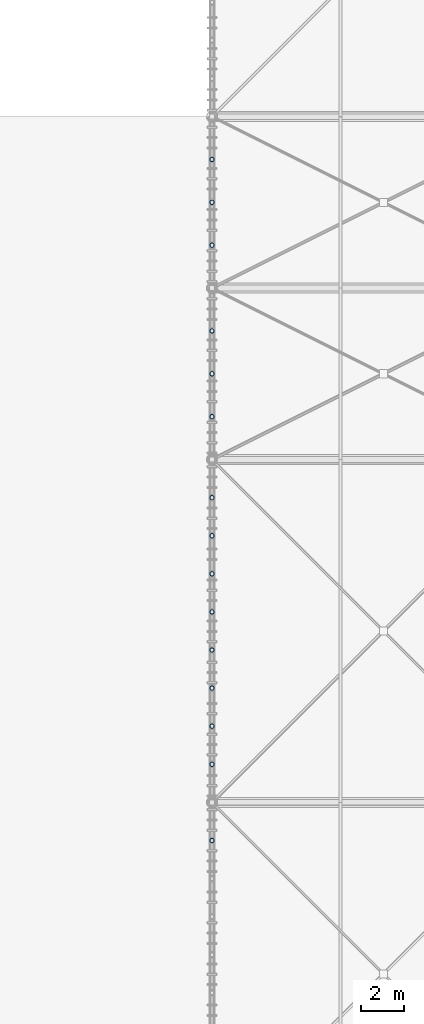
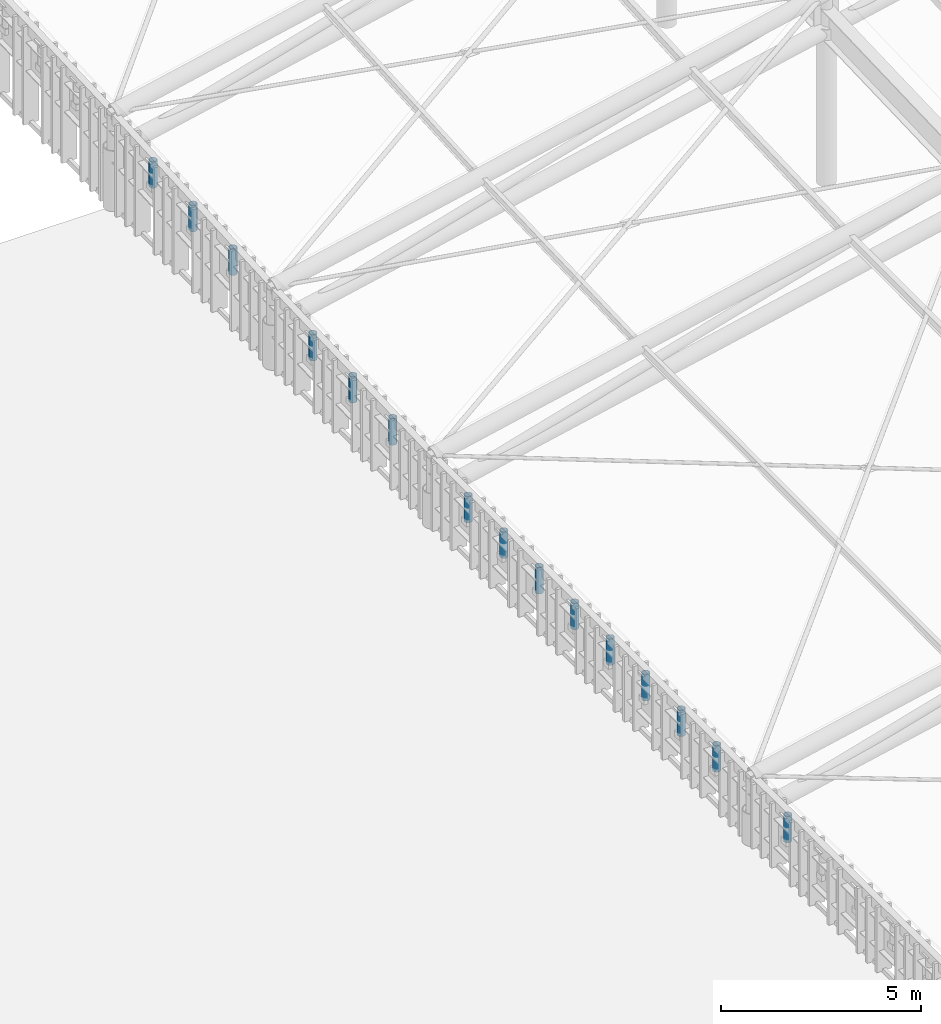
# One storey, part 15 of 25: 15 members.
"""IFC4 building model written with IfcOpenShell, lengths in metres."""

import ifcopenshell
import ifcopenshell.guid

model = None  # the IFC model being written
_history = None  # IfcOwnerHistory: only IFC2X3 demands one
_inside = {}  # id of a spatial element -> (the spatial element, [elements in it])
_under = {}  # id of a project, library or spatial element -> (it, [spatial elements below it])
_declared = {}  # id of a project -> (the project, [libraries it declares])
_typed = {}  # id of a type object -> (the type object, [elements of that type])
_made_of = {}  # id of a material, layer set ... -> (it, [elements and type objects made of it])


def new_model(schema):
    """Start an empty IFC model of exactly this schema.

    Asked for "IFC4X3", IfcOpenShell would pick the latest addendum, in which some entities
    have other attributes; the version numbers below select the first issue.
    IFC2X3 requires an IfcOwnerHistory on every rooted entity: one is made here for all.
    """
    global model, _history
    if schema == "IFC4X3":
        model = ifcopenshell.file(schema_version=(4, 3, 0, 0))
    else:
        model = ifcopenshell.file(schema=schema)
    _inside.clear()
    _under.clear()
    _declared.clear()
    _typed.clear()
    _made_of.clear()
    _history = None
    if model.schema == "IFC2X3":
        org = make("IfcOrganization", Name="unknown")
        user = make(
            "IfcPersonAndOrganization",
            ThePerson=make("IfcPerson", FamilyName="unknown"),
            TheOrganization=org,
        )
        app = make(
            "IfcApplication",
            ApplicationDeveloper=org,
            Version="unknown",
            ApplicationFullName="unknown",
            ApplicationIdentifier="unknown",
        )
        _history = make(
            "IfcOwnerHistory",
            OwningUser=user,
            OwningApplication=app,
            ChangeAction="ADDED",
            CreationDate=0,
        )
    return model


def make(cls, **values):
    """One entity of the class cls with the attributes given. An attribute that is None is left unset."""
    return model.create_entity(
        cls, **{name: value for name, value in values.items() if value is not None}
    )


def rooted(cls, **values):
    """An entity with a GlobalId (a new one), such as an element, a storey or a relation."""
    return make(cls, GlobalId=ifcopenshell.guid.new(), OwnerHistory=_history, **values)


def si_unit(unit_type, name, prefix=None):
    """IfcSIUnit, for example si_unit("LENGTHUNIT", "METRE", prefix="MILLI")."""
    return make("IfcSIUnit", UnitType=unit_type, Prefix=prefix, Name=name)


def assignment(units):
    """IfcUnitAssignment: the units of a project."""
    return None if units is None else make("IfcUnitAssignment", Units=units)


def point(xyz):
    """IfcCartesianPoint."""
    return None if xyz is None else make("IfcCartesianPoint", Coordinates=xyz)


def direction(xyz):
    """IfcDirection."""
    return None if xyz is None else make("IfcDirection", DirectionRatios=xyz)


def frame(location, z_axis=None, x_axis=None):
    """IfcAxis2Placement3D, a coordinate frame: its origin and axes. An axis left out is left unset."""
    return make(
        "IfcAxis2Placement3D",
        Location=point(location),
        Axis=direction(z_axis),
        RefDirection=direction(x_axis),
    )


def frame_2d(location, x_axis=None):
    """IfcAxis2Placement2D, a coordinate frame in the plane: its origin and x axis."""
    return make(
        "IfcAxis2Placement2D", Location=point(location), RefDirection=direction(x_axis)
    )


def origin():
    """The frame at (0, 0, 0) with its axes left unset."""
    return frame((0.0, 0.0, 0.0))


def origin_2d():
    """The frame at (0, 0) in the plane with its x axis left unset."""
    return frame_2d((0.0, 0.0))


def place(relative_to, where):
    """IfcLocalPlacement: puts the frame where relative to a parent placement (None: the world)."""
    return make(
        "IfcLocalPlacement", PlacementRelTo=relative_to, RelativePlacement=where
    )


def context(
    kind, dimensions, precision=None, world=None, true_north=None, identifier=None
):
    """IfcGeometricRepresentationContext, for example the 3D "Model" context."""
    return make(
        "IfcGeometricRepresentationContext",
        ContextIdentifier=identifier,
        ContextType=kind,
        CoordinateSpaceDimension=dimensions,
        Precision=precision,
        WorldCoordinateSystem=world,
        TrueNorth=true_north,
    )


def subcontext(parent, identifier, kind, view, scale=None):
    """IfcGeometricRepresentationSubContext, for example "Body" below "Model"."""
    return make(
        "IfcGeometricRepresentationSubContext",
        ContextIdentifier=identifier,
        ContextType=kind,
        ParentContext=parent,
        TargetScale=scale,
        TargetView=view,
    )


def project(units=None, contexts=None):
    """IfcProject with its units and contexts."""
    return rooted(
        "IfcProject",
        Name="project",
        RepresentationContexts=contexts,
        UnitsInContext=assignment(units),
    )


def spatial(cls, under=None, at=None, **own):
    """A site, building, storey or space (cls), placed at a placement, below another one or the project."""
    s = rooted(cls, ObjectPlacement=at, **own)
    if under is not None:
        _under.setdefault(under.id(), (under, []))[1].append(s)
    return s


def profile(cls, at=None, kind="AREA", **sizes):
    """A parametric profile (cls). Its sizes go by their IFC names, for example OverallWidth=200.0."""
    return make(cls, ProfileType=kind, Position=at, **sizes)


def hollow_circle(**sizes):
    """IfcCircleHollowProfileDef."""
    return profile("IfcCircleHollowProfileDef", **sizes)


def extrude(swept, where, along, depth):
    """IfcExtrudedAreaSolid: the profile swept, set in the frame where, extruded along a direction by depth."""
    return make(
        "IfcExtrudedAreaSolid",
        SweptArea=swept,
        Position=where,
        ExtrudedDirection=direction(along),
        Depth=depth,
    )


def shape(context_of_items, identifier, shape_type, items):
    """IfcShapeRepresentation: the items that make up one representation, for example the "Body"."""
    return make(
        "IfcShapeRepresentation",
        ContextOfItems=context_of_items,
        RepresentationIdentifier=identifier,
        RepresentationType=shape_type,
        Items=items,
    )


def material(Name=None, Category=None):
    """IfcMaterial."""
    return make("IfcMaterial", Name=Name, Category=Category)


def material_profile(
    of_material, cross_section, Name=None, Category=None, Priority=None
):
    """IfcMaterialProfile: a cross section and its material."""
    return make(
        "IfcMaterialProfile",
        Name=Name,
        Material=of_material,
        Profile=cross_section,
        Priority=Priority,
        Category=Category,
    )


def profile_set(profiles, Name=None, composite=None):
    """IfcMaterialProfileSet."""
    return make(
        "IfcMaterialProfileSet",
        Name=Name,
        MaterialProfiles=profiles,
        CompositeProfile=composite,
    )


def made_of(thing, what):
    """Note that an element or type object is made of a material, layer set ...; save() writes the relation."""
    if what is not None:
        _made_of.setdefault(what.id(), (what, []))[1].append(thing)
    return thing


def type_object(cls, material=None, **own):
    """A type object (cls), such as IfcWallType, which elements share."""
    return made_of(rooted(cls, **own), material)


def element(
    cls,
    number,
    at=None,
    inside=None,
    cuts=None,
    type_object=None,
    material=None,
    context=None,
    identifier="Body",
    shape_type=None,
    held_by="IfcProductDefinitionShape",
    body=None,
    shapes=None,
    **own,
):
    """One element of the class cls, such as IfcWall. Its Tag is "e" and its number.

    at: its placement. inside: the storey or other place that contains it. cuts: it is an
    opening in that element (IfcRelVoidsElement). A single representation is given by context,
    identifier, shape_type and body (its items); several are given by shapes. held_by: the class
    of the entity that holds the representations. save() writes the other relations.
    """
    e = rooted(cls, Tag="e%d" % number, ObjectPlacement=at, **own)
    if body is not None:
        shapes = [shape(context, identifier, shape_type, body)]
    if shapes is not None:
        e.Representation = make(held_by, Representations=shapes)
    if inside is not None:
        _inside.setdefault(inside.id(), (inside, []))[1].append(e)
    if cuts is not None:
        rooted(
            "IfcRelVoidsElement", RelatingBuildingElement=cuts, RelatedOpeningElement=e
        )
    if type_object is not None:
        _typed.setdefault(type_object.id(), (type_object, []))[1].append(e)
    return made_of(e, material)


def aggregate(whole, parts):
    """IfcRelAggregates: a whole, such as a stair, and the parts it consists of."""
    return rooted("IfcRelAggregates", RelatingObject=whole, RelatedObjects=parts)


def save(model, path):
    """Write the relations noted so far, then the file.

    IfcRelAggregates (storeys below a building ...), IfcRelContainedInSpatialStructure (elements
    in a storey), IfcRelDefinesByType, IfcRelAssociatesMaterial and IfcRelDeclares: one each for
    every whole, place, type object, material and project.
    """
    for whole, parts in _under.values():
        aggregate(whole, parts)
    for where, things in _inside.values():
        rooted(
            "IfcRelContainedInSpatialStructure",
            RelatedElements=things,
            RelatingStructure=where,
        )
    for kind, things in _typed.values():
        rooted("IfcRelDefinesByType", RelatedObjects=things, RelatingType=kind)
    for what, things in _made_of.values():
        rooted("IfcRelAssociatesMaterial", RelatedObjects=things, RelatingMaterial=what)
    for by, libraries in _declared.values():
        rooted("IfcRelDeclares", RelatingContext=by, RelatedDefinitions=libraries)
    model.write(path)


model = new_model("IFC4")

# Units and contexts
model_context = context("Model", 3, precision=1e-05, world=origin(), true_north=direction((0.0, 1.0)))
body_context = subcontext(model_context, "Body", "Model", "MODEL_VIEW")
ifc_project = project(units=[si_unit("LENGTHUNIT", "METRE"), si_unit("AREAUNIT", "SQUARE_METRE"), si_unit("VOLUMEUNIT", "CUBIC_METRE"), si_unit("PLANEANGLEUNIT", "RADIAN"), si_unit("MASSUNIT", "GRAM", prefix="KILO")], contexts=[model_context])

# Site, building, storey
site_placement = place(None, origin())
site = spatial("IfcSite", under=ifc_project, at=site_placement, CompositionType="ELEMENT")
building_placement = place(site_placement, origin())
building = spatial("IfcBuilding", under=site, at=building_placement, Name="Haebicheon Civic Stadium", CompositionType="ELEMENT")
storey_placement = place(building_placement, frame((0.0, 0.0, 31.199951171875)))
storey = spatial("IfcBuildingStorey", under=building, at=storey_placement, Name="RF", CompositionType="ELEMENT", Elevation=31.199951171875)

# Members
ifc_material = material(Name="White painted steel SM490", Category="steel")
ifc_material_profile = material_profile(ifc_material, hollow_circle(Radius=0.109619140625, WallThickness=0.01611328125, at=origin_2d()), Name="CHS-219.1x16.0")
ifc_profile_set = profile_set([ifc_material_profile], Name="White painted steel SM490")
member_type = type_object("IfcMemberType", Name="HRD-CHS219", PredefinedType="USERDEFINED", material=ifc_profile_set)
for number, where, z_axis, x_axis, name in (
    (1, (48.0, 86.221923828125, 1.092041015625), (0.0, 0.0, 1.0), (1.0, 0.0, 0.0), "CAN-WEST white vertical suspension rod 4.8"),
    (2, (48.0, 89.778076171875, 1.092041015625), (0.0, 0.0, 1.0), (1.0, 0.0, 0.0), "CAN-WEST white vertical suspension rod 5.1"),
    (3, (48.0, 91.555908203125, 1.10205078125), (0.0, 0.0, 1.0), (1.0, 0.0, 0.0), "CAN-WEST white vertical suspension rod 5.2"),
    (4, (48.0, 93.3330078125, 1.113037109375), (0.0, 0.0, 1.0), (1.0, 0.0, 0.0), "CAN-WEST white vertical suspension rod 5.3"),
    (5, (48.0, 95.111083984375, 1.1240234375), (0.0, 0.0, 1.0), (1.0, 0.0, 0.0), "CAN-WEST white vertical suspension rod 5.4"),
    (6, (48.0, 96.888916015625, 1.134033203125), (0.0, 0.0, 1.0), (1.0, 0.0, 0.0), "CAN-WEST white vertical suspension rod 5.5"),
    (7, (48.0, 98.6669921875, 1.14501953125), (0.0, 0.0, 1.0), (1.0, 0.0, 0.0), "CAN-WEST white vertical suspension rod 5.6"),
    (8, (48.0, 100.444091796875, 1.156005859375), (0.0, 0.0, 1.0), (1.0, 0.0, 0.0), "CAN-WEST white vertical suspension rod 5.7"),
    (9, (48.0, 102.221923828125, 1.166015625), (0.0, 0.0, 1.0), (1.0, 0.0, 0.0), "CAN-WEST white vertical suspension rod 5.8"),
    (10, (48.0, 106.0, 1.2490234375), (0.0, 0.0, 1.0), (1.0, 0.0, 0.0), "CAN-WEST white vertical suspension rod 6.1"),
    (11, (48.0, 108.0, 1.322021484375), (0.0, 0.0, 1.0), (1.0, 0.0, 0.0), "CAN-WEST white vertical suspension rod 6.2"),
    (12, (48.0, 110.0, 1.39404296875), (0.0, 0.0, 1.0), (1.0, 0.0, 0.0), "CAN-WEST white vertical suspension rod 6.3"),
    (13, (48.0, 114.0, 1.5859375), (0.0, 0.0, 1.0), (1.0, 0.0, 0.0), "CAN-WEST white vertical suspension rod 7.1"),
    (14, (48.0, 116.0, 1.70703125), (0.0, 0.0, 1.0), (1.0, 0.0, 0.0), "CAN-WEST white vertical suspension rod 7.2"),
):
    element("IfcMember", number, at=place(storey_placement, frame(where, z_axis=z_axis, x_axis=x_axis)), inside=storey, type_object=member_type, material=ifc_profile_set, Name=name, ObjectType="HANGER ROD", PredefinedType="USERDEFINED", context=body_context, shape_type="SweptSolid", body=[
        extrude(hollow_circle(Radius=0.109619140625, WallThickness=0.01611328125, at=origin_2d()), origin(), (0.0, 0.0, 1.0), 0.800048828125),
    ])
member_placement = place(storey_placement, frame((48.0, 118.0, 1.8271484375), z_axis=(0.0, 0.0, 1.0), x_axis=(1.0, 0.0, 0.0)))
element("IfcMember", 15, at=member_placement, inside=storey, type_object=member_type, material=ifc_profile_set, Name="CAN-WEST white vertical suspension rod 7.3", ObjectType="HANGER ROD", PredefinedType="USERDEFINED", context=body_context, shape_type="SweptSolid", body=[
    extrude(hollow_circle(Radius=0.109619140625, WallThickness=0.01611328125, at=origin_2d()), origin(), (0.0, 0.0, 1.0), 0.7998046875),
])

save(model, "model.ifc")
